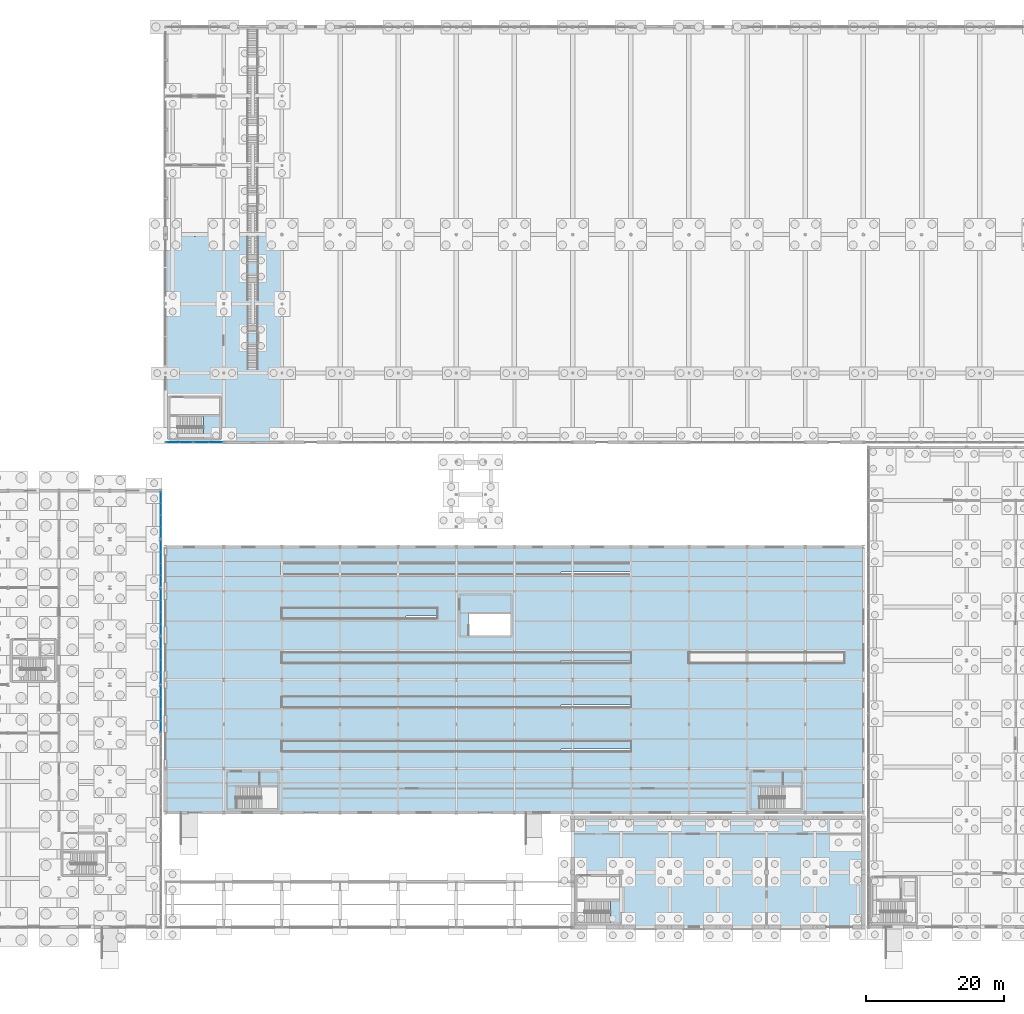
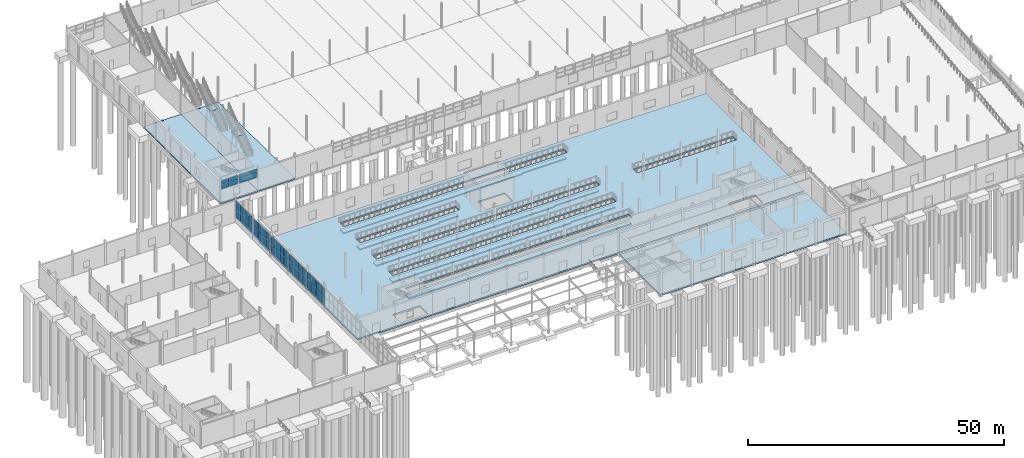
# One storey, part 105 of 139: 48 plates, 13 slabs, 11 elements without a shape of their own.
"""IFC4 building model written with IfcOpenShell, lengths in metres."""

from ifc_helpers import new_model, si_unit, direction, frame, origin, origin_2d, place, context, subcontext, project, spatial, polyline, rectangle, outline, extrude, material, layer, layer_set, type_object, element, aggregate, save


model = new_model("IFC4")

# Units and contexts
model_context = context("Model", 3, precision=1e-05, world=origin(), true_north=direction((0.0, 1.0)))
body_context = subcontext(model_context, "Body", "Model", "MODEL_VIEW")
ifc_project = project(units=[si_unit("LENGTHUNIT", "METRE"), si_unit("AREAUNIT", "SQUARE_METRE"), si_unit("VOLUMEUNIT", "CUBIC_METRE"), si_unit("PLANEANGLEUNIT", "RADIAN"), si_unit("MASSUNIT", "GRAM", prefix="KILO")], contexts=[model_context])

# Site, building, storey
site_placement = place(None, origin())
site = spatial("IfcSite", under=ifc_project, at=site_placement, CompositionType="ELEMENT")
building_placement = place(site_placement, origin())
building = spatial("IfcBuilding", under=site, at=building_placement, Name="Kazenagashi Tramway Depot", CompositionType="ELEMENT")
storey_placement = place(building_placement, origin())
storey = spatial("IfcBuildingStorey", under=building, at=storey_placement, Name="L01", CompositionType="ELEMENT", Elevation=0.0)

# Curtain wall, plates
ifc_material_1 = material(Name="Anodised Aluminium and Low-E Glazing", Category="aluminium")
curtain_wall_type_1 = type_object("IfcCurtainWallType", Name="CW-09", PredefinedType="USERDEFINED", material=ifc_material_1)
curtain_wall_1_placement = place(storey_placement, origin())
curtain_wall_1 = element("IfcCurtainWall", 1, at=curtain_wall_1_placement, inside=storey, type_object=curtain_wall_type_1, Name="Industrial Glazed Screen CW-09 CW-0017", ObjectType="GLAZED SCREEN", PredefinedType="USERDEFINED")
ifc_material_2 = material(Name="Tempered Laminated Low-E Glass", Category="glass")
ifc_layer_1 = layer(ifc_material_2, 0.016)
ifc_layer_set_1 = layer_set([ifc_layer_1], Name="Tempered Laminated Low-E Glass")
plate_type_1 = type_object("IfcPlateType", Name="GL-01", PredefinedType="CURTAIN_PANEL", material=ifc_layer_set_1)
plate_1_placement = place(storey_placement, frame((45.8875, 70.0, 3.26), z_axis=(0.0, 0.0, 1.0), x_axis=(1.0, 0.0, 0.0)))
plate_1 = element("IfcPlate", 2, at=plate_1_placement, type_object=plate_type_1, Name="CW-09 panel 1.1", PredefinedType="CURTAIN_PANEL", context=body_context, shape_type="SweptSolid", body=[
    extrude(rectangle(XDim=1.775, YDim=0.016, at=origin_2d()), origin(), (0.0, 0.0, 1.0), 0.974),
])
plate_2_placement = place(storey_placement, frame((45.8875, 70.0, 4.294), z_axis=(0.0, 0.0, 1.0), x_axis=(1.0, 0.0, 0.0)))
plate_2 = element("IfcPlate", 3, at=plate_2_placement, type_object=plate_type_1, Name="CW-09 panel 1.2", PredefinedType="CURTAIN_PANEL", context=body_context, shape_type="SweptSolid", body=[
    extrude(rectangle(XDim=1.775, YDim=0.016, at=origin_2d()), origin(), (0.0, 0.0, 1.0), 0.893),
])
plate_3_placement = place(storey_placement, frame((47.7225, 70.0, 3.26), z_axis=(0.0, 0.0, 1.0), x_axis=(1.0, 0.0, 0.0)))
plate_3 = element("IfcPlate", 4, at=plate_3_placement, type_object=plate_type_1, Name="CW-09 panel 2.1", PredefinedType="CURTAIN_PANEL", context=body_context, shape_type="SweptSolid", body=[
    extrude(rectangle(XDim=1.775, YDim=0.016, at=origin_2d()), origin(), (0.0, 0.0, 1.0), 0.974),
])
plate_4_placement = place(storey_placement, frame((47.7225, 70.0, 4.294), z_axis=(0.0, 0.0, 1.0), x_axis=(1.0, 0.0, 0.0)))
plate_4 = element("IfcPlate", 5, at=plate_4_placement, type_object=plate_type_1, Name="CW-09 panel 2.2", PredefinedType="CURTAIN_PANEL", context=body_context, shape_type="SweptSolid", body=[
    extrude(rectangle(XDim=1.775, YDim=0.016, at=origin_2d()), origin(), (0.0, 0.0, 1.0), 0.893),
])
aggregate(curtain_wall_1, [plate_1, plate_2, plate_3, plate_4])

curtain_wall_type_2 = type_object("IfcCurtainWallType", Name="CW-33", PredefinedType="USERDEFINED", material=ifc_material_1)
curtain_wall_2_placement = place(storey_placement, origin())
curtain_wall_2 = element("IfcCurtainWall", 6, at=curtain_wall_2_placement, inside=storey, type_object=curtain_wall_type_2, Name="Industrial Glazed Screen CW-33 CW-0193", ObjectType="GLAZED SCREEN", PredefinedType="USERDEFINED")
plate_5_placement = place(storey_placement, frame((44.1, 49.995, 1.26), z_axis=(0.0, 0.0, 1.0), x_axis=(0.0, 1.0, 0.0)))
plate_5 = element("IfcPlate", 7, at=plate_5_placement, type_object=plate_type_1, Name="CW-33 panel 1.1", PredefinedType="CURTAIN_PANEL", context=body_context, shape_type="SweptSolid", body=[
    extrude(rectangle(XDim=1.59, YDim=0.016, at=origin_2d()), origin(), (0.0, 0.0, 1.0), 2.022),
])
plate_6_placement = place(storey_placement, frame((44.1, 49.995, 3.342), z_axis=(0.0, 0.0, 1.0), x_axis=(0.0, 1.0, 0.0)))
plate_6 = element("IfcPlate", 8, at=plate_6_placement, type_object=plate_type_1, Name="CW-33 panel 1.2", PredefinedType="CURTAIN_PANEL", context=body_context, shape_type="SweptSolid", body=[
    extrude(rectangle(XDim=1.59, YDim=0.016, at=origin_2d()), origin(), (0.0, 0.0, 1.0), 1.86),
])
plate_7_placement = place(storey_placement, frame((44.1, 51.66, 1.26), z_axis=(0.0, 0.0, 1.0), x_axis=(0.0, 1.0, 0.0)))
plate_7 = element("IfcPlate", 9, at=plate_7_placement, type_object=plate_type_1, Name="CW-33 panel 2.1", PredefinedType="CURTAIN_PANEL", context=body_context, shape_type="SweptSolid", body=[
    extrude(rectangle(XDim=1.62, YDim=0.016, at=origin_2d()), origin(), (0.0, 0.0, 1.0), 2.022),
])
plate_8_placement = place(storey_placement, frame((44.1, 51.66, 3.342), z_axis=(0.0, 0.0, 1.0), x_axis=(0.0, 1.0, 0.0)))
plate_8 = element("IfcPlate", 10, at=plate_8_placement, type_object=plate_type_1, Name="CW-33 panel 2.2", PredefinedType="CURTAIN_PANEL", context=body_context, shape_type="SweptSolid", body=[
    extrude(rectangle(XDim=1.62, YDim=0.016, at=origin_2d()), origin(), (0.0, 0.0, 1.0), 1.86),
])
plate_9_placement = place(storey_placement, frame((44.1, 53.34, 1.26), z_axis=(0.0, 0.0, 1.0), x_axis=(0.0, 1.0, 0.0)))
plate_9 = element("IfcPlate", 11, at=plate_9_placement, type_object=plate_type_1, Name="CW-33 panel 3.1", PredefinedType="CURTAIN_PANEL", context=body_context, shape_type="SweptSolid", body=[
    extrude(rectangle(XDim=1.62, YDim=0.016, at=origin_2d()), origin(), (0.0, 0.0, 1.0), 2.022),
])
plate_10_placement = place(storey_placement, frame((44.1, 53.34, 3.342), z_axis=(0.0, 0.0, 1.0), x_axis=(0.0, 1.0, 0.0)))
plate_10 = element("IfcPlate", 12, at=plate_10_placement, type_object=plate_type_1, Name="CW-33 panel 3.2", PredefinedType="CURTAIN_PANEL", context=body_context, shape_type="SweptSolid", body=[
    extrude(rectangle(XDim=1.62, YDim=0.016, at=origin_2d()), origin(), (0.0, 0.0, 1.0), 1.86),
])
plate_11_placement = place(storey_placement, frame((44.1, 55.005, 1.26), z_axis=(0.0, 0.0, 1.0), x_axis=(0.0, 1.0, 0.0)))
plate_11 = element("IfcPlate", 13, at=plate_11_placement, type_object=plate_type_1, Name="CW-33 panel 4.1", PredefinedType="CURTAIN_PANEL", context=body_context, shape_type="SweptSolid", body=[
    extrude(rectangle(XDim=1.59, YDim=0.016, at=origin_2d()), origin(), (0.0, 0.0, 1.0), 2.022),
])
plate_12_placement = place(storey_placement, frame((44.1, 55.005, 3.342), z_axis=(0.0, 0.0, 1.0), x_axis=(0.0, 1.0, 0.0)))
plate_12 = element("IfcPlate", 14, at=plate_12_placement, type_object=plate_type_1, Name="CW-33 panel 4.2", PredefinedType="CURTAIN_PANEL", context=body_context, shape_type="SweptSolid", body=[
    extrude(rectangle(XDim=1.59, YDim=0.016, at=origin_2d()), origin(), (0.0, 0.0, 1.0), 1.86),
])
aggregate(curtain_wall_2, [plate_5, plate_6, plate_7, plate_8, plate_9, plate_10, plate_11, plate_12])

curtain_wall_type_3 = type_object("IfcCurtainWallType", Name="CW-10", PredefinedType="USERDEFINED", material=ifc_material_1)
curtain_wall_3_placement = place(storey_placement, origin())
curtain_wall_3 = element("IfcCurtainWall", 15, at=curtain_wall_3_placement, inside=storey, type_object=curtain_wall_type_3, Name="Industrial Glazed Screen CW-10 CW-0018", ObjectType="GLAZED SCREEN", PredefinedType="USERDEFINED")
ifc_layer_2 = layer(ifc_material_2, 0.018)
ifc_layer_set_2 = layer_set([ifc_layer_2], Name="Tempered Laminated Low-E Glass")
plate_type_2 = type_object("IfcPlateType", Name="GL-02", PredefinedType="CURTAIN_PANEL", material=ifc_layer_set_2)
plate_13_placement = place(storey_placement, frame((50.0075, 70.0, 3.26), z_axis=(0.0, 0.0, 1.0), x_axis=(1.0, 0.0, 0.0)))
plate_13 = element("IfcPlate", 16, at=plate_13_placement, type_object=plate_type_2, Name="CW-10 panel 1.1", PredefinedType="CURTAIN_PANEL", context=body_context, shape_type="SweptSolid", body=[
    extrude(rectangle(XDim=1.955, YDim=0.018, at=origin_2d()), origin(), (0.0, 0.0, 1.0), 0.974),
])
plate_14_placement = place(storey_placement, frame((50.0075, 70.0, 4.294), z_axis=(0.0, 0.0, 1.0), x_axis=(1.0, 0.0, 0.0)))
plate_14 = element("IfcPlate", 17, at=plate_14_placement, type_object=plate_type_2, Name="CW-10 panel 1.2", PredefinedType="CURTAIN_PANEL", context=body_context, shape_type="SweptSolid", body=[
    extrude(rectangle(XDim=1.955, YDim=0.018, at=origin_2d()), origin(), (0.0, 0.0, 1.0), 0.893),
])
plate_15_placement = place(storey_placement, frame((52.0225, 70.0, 3.26), z_axis=(0.0, 0.0, 1.0), x_axis=(1.0, 0.0, 0.0)))
plate_15 = element("IfcPlate", 18, at=plate_15_placement, type_object=plate_type_2, Name="CW-10 panel 2.1", PredefinedType="CURTAIN_PANEL", context=body_context, shape_type="SweptSolid", body=[
    extrude(rectangle(XDim=1.955, YDim=0.018, at=origin_2d()), origin(), (0.0, 0.0, 1.0), 0.974),
])
plate_16_placement = place(storey_placement, frame((52.0225, 70.0, 4.294), z_axis=(0.0, 0.0, 1.0), x_axis=(1.0, 0.0, 0.0)))
plate_16 = element("IfcPlate", 19, at=plate_16_placement, type_object=plate_type_2, Name="CW-10 panel 2.2", PredefinedType="CURTAIN_PANEL", context=body_context, shape_type="SweptSolid", body=[
    extrude(rectangle(XDim=1.955, YDim=0.018, at=origin_2d()), origin(), (0.0, 0.0, 1.0), 0.893),
])
aggregate(curtain_wall_3, [plate_13, plate_14, plate_15, plate_16])

curtain_wall_4_placement = place(storey_placement, origin())
curtain_wall_4 = element("IfcCurtainWall", 20, at=curtain_wall_4_placement, inside=storey, type_object=curtain_wall_type_2, Name="Industrial Glazed Screen CW-33 CW-0195", ObjectType="GLAZED SCREEN", PredefinedType="USERDEFINED")
ifc_layer_3 = layer(ifc_material_2, 0.02)
ifc_layer_set_3 = layer_set([ifc_layer_3], Name="Tempered Laminated Low-E Glass")
plate_type_3 = type_object("IfcPlateType", Name="GL-03", PredefinedType="CURTAIN_PANEL", material=ifc_layer_set_3)
plate_17_placement = place(storey_placement, frame((44.1, 56.995, 1.26), z_axis=(0.0, 0.0, 1.0), x_axis=(0.0, 1.0, 0.0)))
plate_17 = element("IfcPlate", 21, at=plate_17_placement, type_object=plate_type_3, Name="CW-33 panel 1.1", PredefinedType="CURTAIN_PANEL", context=body_context, shape_type="SweptSolid", body=[
    extrude(rectangle(XDim=1.59, YDim=0.02, at=origin_2d()), origin(), (0.0, 0.0, 1.0), 2.022),
])
plate_18_placement = place(storey_placement, frame((44.1, 56.995, 3.342), z_axis=(0.0, 0.0, 1.0), x_axis=(0.0, 1.0, 0.0)))
plate_18 = element("IfcPlate", 22, at=plate_18_placement, type_object=plate_type_3, Name="CW-33 panel 1.2", PredefinedType="CURTAIN_PANEL", context=body_context, shape_type="SweptSolid", body=[
    extrude(rectangle(XDim=1.59, YDim=0.02, at=origin_2d()), origin(), (0.0, 0.0, 1.0), 1.86),
])
plate_19_placement = place(storey_placement, frame((44.1, 58.66, 1.26), z_axis=(0.0, 0.0, 1.0), x_axis=(0.0, 1.0, 0.0)))
plate_19 = element("IfcPlate", 23, at=plate_19_placement, type_object=plate_type_3, Name="CW-33 panel 2.1", PredefinedType="CURTAIN_PANEL", context=body_context, shape_type="SweptSolid", body=[
    extrude(rectangle(XDim=1.62, YDim=0.02, at=origin_2d()), origin(), (0.0, 0.0, 1.0), 2.022),
])
plate_20_placement = place(storey_placement, frame((44.1, 58.66, 3.342), z_axis=(0.0, 0.0, 1.0), x_axis=(0.0, 1.0, 0.0)))
plate_20 = element("IfcPlate", 24, at=plate_20_placement, type_object=plate_type_3, Name="CW-33 panel 2.2", PredefinedType="CURTAIN_PANEL", context=body_context, shape_type="SweptSolid", body=[
    extrude(rectangle(XDim=1.62, YDim=0.02, at=origin_2d()), origin(), (0.0, 0.0, 1.0), 1.86),
])
plate_21_placement = place(storey_placement, frame((44.1, 60.34, 1.26), z_axis=(0.0, 0.0, 1.0), x_axis=(0.0, 1.0, 0.0)))
plate_21 = element("IfcPlate", 25, at=plate_21_placement, type_object=plate_type_3, Name="CW-33 panel 3.1", PredefinedType="CURTAIN_PANEL", context=body_context, shape_type="SweptSolid", body=[
    extrude(rectangle(XDim=1.62, YDim=0.02, at=origin_2d()), origin(), (0.0, 0.0, 1.0), 2.022),
])
plate_22_placement = place(storey_placement, frame((44.1, 60.34, 3.342), z_axis=(0.0, 0.0, 1.0), x_axis=(0.0, 1.0, 0.0)))
plate_22 = element("IfcPlate", 26, at=plate_22_placement, type_object=plate_type_3, Name="CW-33 panel 3.2", PredefinedType="CURTAIN_PANEL", context=body_context, shape_type="SweptSolid", body=[
    extrude(rectangle(XDim=1.62, YDim=0.02, at=origin_2d()), origin(), (0.0, 0.0, 1.0), 1.86),
])
plate_23_placement = place(storey_placement, frame((44.1, 62.005, 1.26), z_axis=(0.0, 0.0, 1.0), x_axis=(0.0, 1.0, 0.0)))
plate_23 = element("IfcPlate", 27, at=plate_23_placement, type_object=plate_type_3, Name="CW-33 panel 4.1", PredefinedType="CURTAIN_PANEL", context=body_context, shape_type="SweptSolid", body=[
    extrude(rectangle(XDim=1.59, YDim=0.02, at=origin_2d()), origin(), (0.0, 0.0, 1.0), 2.022),
])
plate_24_placement = place(storey_placement, frame((44.1, 62.005, 3.342), z_axis=(0.0, 0.0, 1.0), x_axis=(0.0, 1.0, 0.0)))
plate_24 = element("IfcPlate", 28, at=plate_24_placement, type_object=plate_type_3, Name="CW-33 panel 4.2", PredefinedType="CURTAIN_PANEL", context=body_context, shape_type="SweptSolid", body=[
    extrude(rectangle(XDim=1.59, YDim=0.02, at=origin_2d()), origin(), (0.0, 0.0, 1.0), 1.86),
])
aggregate(curtain_wall_4, [plate_17, plate_18, plate_19, plate_20, plate_21, plate_22, plate_23, plate_24])

curtain_wall_5_placement = place(storey_placement, origin())
curtain_wall_5 = element("IfcCurtainWall", 29, at=curtain_wall_5_placement, inside=storey, type_object=curtain_wall_type_2, Name="Industrial Glazed Screen CW-33 CW-0187", ObjectType="GLAZED SCREEN", PredefinedType="USERDEFINED")
ifc_layer_4 = layer(ifc_material_2, 0.036)
ifc_layer_set_4 = layer_set([ifc_layer_4], Name="Tempered Laminated Low-E Glass")
plate_type_4 = type_object("IfcPlateType", Name="GL-11", PredefinedType="CURTAIN_PANEL", material=ifc_layer_set_4)
plate_25_placement = place(storey_placement, frame((44.1, 28.995, 1.26), z_axis=(0.0, 0.0, 1.0), x_axis=(0.0, 1.0, 0.0)))
plate_25 = element("IfcPlate", 30, at=plate_25_placement, type_object=plate_type_4, Name="CW-33 panel 1.1", PredefinedType="CURTAIN_PANEL", context=body_context, shape_type="SweptSolid", body=[
    extrude(rectangle(XDim=1.59, YDim=0.036, at=origin_2d()), origin(), (0.0, 0.0, 1.0), 2.022),
])
plate_26_placement = place(storey_placement, frame((44.1, 28.995, 3.342), z_axis=(0.0, 0.0, 1.0), x_axis=(0.0, 1.0, 0.0)))
plate_26 = element("IfcPlate", 31, at=plate_26_placement, type_object=plate_type_4, Name="CW-33 panel 1.2", PredefinedType="CURTAIN_PANEL", context=body_context, shape_type="SweptSolid", body=[
    extrude(rectangle(XDim=1.59, YDim=0.036, at=origin_2d()), origin(), (0.0, 0.0, 1.0), 1.86),
])
plate_27_placement = place(storey_placement, frame((44.1, 30.66, 1.26), z_axis=(0.0, 0.0, 1.0), x_axis=(0.0, 1.0, 0.0)))
plate_27 = element("IfcPlate", 32, at=plate_27_placement, type_object=plate_type_4, Name="CW-33 panel 2.1", PredefinedType="CURTAIN_PANEL", context=body_context, shape_type="SweptSolid", body=[
    extrude(rectangle(XDim=1.62, YDim=0.036, at=origin_2d()), origin(), (0.0, 0.0, 1.0), 2.022),
])
plate_28_placement = place(storey_placement, frame((44.1, 30.66, 3.342), z_axis=(0.0, 0.0, 1.0), x_axis=(0.0, 1.0, 0.0)))
plate_28 = element("IfcPlate", 33, at=plate_28_placement, type_object=plate_type_4, Name="CW-33 panel 2.2", PredefinedType="CURTAIN_PANEL", context=body_context, shape_type="SweptSolid", body=[
    extrude(rectangle(XDim=1.62, YDim=0.036, at=origin_2d()), origin(), (0.0, 0.0, 1.0), 1.86),
])
plate_29_placement = place(storey_placement, frame((44.1, 32.34, 1.26), z_axis=(0.0, 0.0, 1.0), x_axis=(0.0, 1.0, 0.0)))
plate_29 = element("IfcPlate", 34, at=plate_29_placement, type_object=plate_type_4, Name="CW-33 panel 3.1", PredefinedType="CURTAIN_PANEL", context=body_context, shape_type="SweptSolid", body=[
    extrude(rectangle(XDim=1.62, YDim=0.036, at=origin_2d()), origin(), (0.0, 0.0, 1.0), 2.022),
])
plate_30_placement = place(storey_placement, frame((44.1, 32.34, 3.342), z_axis=(0.0, 0.0, 1.0), x_axis=(0.0, 1.0, 0.0)))
plate_30 = element("IfcPlate", 35, at=plate_30_placement, type_object=plate_type_4, Name="CW-33 panel 3.2", PredefinedType="CURTAIN_PANEL", context=body_context, shape_type="SweptSolid", body=[
    extrude(rectangle(XDim=1.62, YDim=0.036, at=origin_2d()), origin(), (0.0, 0.0, 1.0), 1.86),
])
plate_31_placement = place(storey_placement, frame((44.1, 34.005, 1.26), z_axis=(0.0, 0.0, 1.0), x_axis=(0.0, 1.0, 0.0)))
plate_31 = element("IfcPlate", 36, at=plate_31_placement, type_object=plate_type_4, Name="CW-33 panel 4.1", PredefinedType="CURTAIN_PANEL", context=body_context, shape_type="SweptSolid", body=[
    extrude(rectangle(XDim=1.59, YDim=0.036, at=origin_2d()), origin(), (0.0, 0.0, 1.0), 2.022),
])
plate_32_placement = place(storey_placement, frame((44.1, 34.005, 3.342), z_axis=(0.0, 0.0, 1.0), x_axis=(0.0, 1.0, 0.0)))
plate_32 = element("IfcPlate", 37, at=plate_32_placement, type_object=plate_type_4, Name="CW-33 panel 4.2", PredefinedType="CURTAIN_PANEL", context=body_context, shape_type="SweptSolid", body=[
    extrude(rectangle(XDim=1.59, YDim=0.036, at=origin_2d()), origin(), (0.0, 0.0, 1.0), 1.86),
])
aggregate(curtain_wall_5, [plate_25, plate_26, plate_27, plate_28, plate_29, plate_30, plate_31, plate_32])

curtain_wall_6_placement = place(storey_placement, origin())
curtain_wall_6 = element("IfcCurtainWall", 38, at=curtain_wall_6_placement, inside=storey, type_object=curtain_wall_type_2, Name="Industrial Glazed Screen CW-33 CW-0189", ObjectType="GLAZED SCREEN", PredefinedType="USERDEFINED")
ifc_layer_5 = layer(ifc_material_2, 0.04)
ifc_layer_set_5 = layer_set([ifc_layer_5], Name="Tempered Laminated Low-E Glass")
plate_type_5 = type_object("IfcPlateType", Name="GL-13", PredefinedType="CURTAIN_PANEL", material=ifc_layer_set_5)
plate_33_placement = place(storey_placement, frame((44.1, 35.995, 1.26), z_axis=(0.0, 0.0, 1.0), x_axis=(0.0, 1.0, 0.0)))
plate_33 = element("IfcPlate", 39, at=plate_33_placement, type_object=plate_type_5, Name="CW-33 panel 1.1", PredefinedType="CURTAIN_PANEL", context=body_context, shape_type="SweptSolid", body=[
    extrude(rectangle(XDim=1.59, YDim=0.04, at=origin_2d()), origin(), (0.0, 0.0, 1.0), 2.022),
])
plate_34_placement = place(storey_placement, frame((44.1, 35.995, 3.342), z_axis=(0.0, 0.0, 1.0), x_axis=(0.0, 1.0, 0.0)))
plate_34 = element("IfcPlate", 40, at=plate_34_placement, type_object=plate_type_5, Name="CW-33 panel 1.2", PredefinedType="CURTAIN_PANEL", context=body_context, shape_type="SweptSolid", body=[
    extrude(rectangle(XDim=1.59, YDim=0.04, at=origin_2d()), origin(), (0.0, 0.0, 1.0), 1.86),
])
plate_35_placement = place(storey_placement, frame((44.1, 37.66, 1.26), z_axis=(0.0, 0.0, 1.0), x_axis=(0.0, 1.0, 0.0)))
plate_35 = element("IfcPlate", 41, at=plate_35_placement, type_object=plate_type_5, Name="CW-33 panel 2.1", PredefinedType="CURTAIN_PANEL", context=body_context, shape_type="SweptSolid", body=[
    extrude(rectangle(XDim=1.62, YDim=0.04, at=origin_2d()), origin(), (0.0, 0.0, 1.0), 2.022),
])
plate_36_placement = place(storey_placement, frame((44.1, 37.66, 3.342), z_axis=(0.0, 0.0, 1.0), x_axis=(0.0, 1.0, 0.0)))
plate_36 = element("IfcPlate", 42, at=plate_36_placement, type_object=plate_type_5, Name="CW-33 panel 2.2", PredefinedType="CURTAIN_PANEL", context=body_context, shape_type="SweptSolid", body=[
    extrude(rectangle(XDim=1.62, YDim=0.04, at=origin_2d()), origin(), (0.0, 0.0, 1.0), 1.86),
])
plate_37_placement = place(storey_placement, frame((44.1, 39.34, 1.26), z_axis=(0.0, 0.0, 1.0), x_axis=(0.0, 1.0, 0.0)))
plate_37 = element("IfcPlate", 43, at=plate_37_placement, type_object=plate_type_5, Name="CW-33 panel 3.1", PredefinedType="CURTAIN_PANEL", context=body_context, shape_type="SweptSolid", body=[
    extrude(rectangle(XDim=1.62, YDim=0.04, at=origin_2d()), origin(), (0.0, 0.0, 1.0), 2.022),
])
plate_38_placement = place(storey_placement, frame((44.1, 39.34, 3.342), z_axis=(0.0, 0.0, 1.0), x_axis=(0.0, 1.0, 0.0)))
plate_38 = element("IfcPlate", 44, at=plate_38_placement, type_object=plate_type_5, Name="CW-33 panel 3.2", PredefinedType="CURTAIN_PANEL", context=body_context, shape_type="SweptSolid", body=[
    extrude(rectangle(XDim=1.62, YDim=0.04, at=origin_2d()), origin(), (0.0, 0.0, 1.0), 1.86),
])
plate_39_placement = place(storey_placement, frame((44.1, 41.005, 1.26), z_axis=(0.0, 0.0, 1.0), x_axis=(0.0, 1.0, 0.0)))
plate_39 = element("IfcPlate", 45, at=plate_39_placement, type_object=plate_type_5, Name="CW-33 panel 4.1", PredefinedType="CURTAIN_PANEL", context=body_context, shape_type="SweptSolid", body=[
    extrude(rectangle(XDim=1.59, YDim=0.04, at=origin_2d()), origin(), (0.0, 0.0, 1.0), 2.022),
])
plate_40_placement = place(storey_placement, frame((44.1, 41.005, 3.342), z_axis=(0.0, 0.0, 1.0), x_axis=(0.0, 1.0, 0.0)))
plate_40 = element("IfcPlate", 46, at=plate_40_placement, type_object=plate_type_5, Name="CW-33 panel 4.2", PredefinedType="CURTAIN_PANEL", context=body_context, shape_type="SweptSolid", body=[
    extrude(rectangle(XDim=1.59, YDim=0.04, at=origin_2d()), origin(), (0.0, 0.0, 1.0), 1.86),
])
aggregate(curtain_wall_6, [plate_33, plate_34, plate_35, plate_36, plate_37, plate_38, plate_39, plate_40])

curtain_wall_7_placement = place(storey_placement, origin())
curtain_wall_7 = element("IfcCurtainWall", 47, at=curtain_wall_7_placement, inside=storey, type_object=curtain_wall_type_2, Name="Industrial Glazed Screen CW-33 CW-0191", ObjectType="GLAZED SCREEN", PredefinedType="USERDEFINED")
ifc_layer_6 = layer(ifc_material_2, 0.044)
ifc_layer_set_6 = layer_set([ifc_layer_6], Name="Tempered Laminated Low-E Glass")
plate_type_6 = type_object("IfcPlateType", Name="GL-15", PredefinedType="CURTAIN_PANEL", material=ifc_layer_set_6)
plate_41_placement = place(storey_placement, frame((44.1, 42.995, 1.26), z_axis=(0.0, 0.0, 1.0), x_axis=(0.0, 1.0, 0.0)))
plate_41 = element("IfcPlate", 48, at=plate_41_placement, type_object=plate_type_6, Name="CW-33 panel 1.1", PredefinedType="CURTAIN_PANEL", context=body_context, shape_type="SweptSolid", body=[
    extrude(rectangle(XDim=1.59, YDim=0.044, at=origin_2d()), origin(), (0.0, 0.0, 1.0), 2.022),
])
plate_42_placement = place(storey_placement, frame((44.1, 42.995, 3.342), z_axis=(0.0, 0.0, 1.0), x_axis=(0.0, 1.0, 0.0)))
plate_42 = element("IfcPlate", 49, at=plate_42_placement, type_object=plate_type_6, Name="CW-33 panel 1.2", PredefinedType="CURTAIN_PANEL", context=body_context, shape_type="SweptSolid", body=[
    extrude(rectangle(XDim=1.59, YDim=0.044, at=origin_2d()), origin(), (0.0, 0.0, 1.0), 1.86),
])
plate_43_placement = place(storey_placement, frame((44.1, 44.66, 1.26), z_axis=(0.0, 0.0, 1.0), x_axis=(0.0, 1.0, 0.0)))
plate_43 = element("IfcPlate", 50, at=plate_43_placement, type_object=plate_type_6, Name="CW-33 panel 2.1", PredefinedType="CURTAIN_PANEL", context=body_context, shape_type="SweptSolid", body=[
    extrude(rectangle(XDim=1.62, YDim=0.044, at=origin_2d()), origin(), (0.0, 0.0, 1.0), 2.022),
])
plate_44_placement = place(storey_placement, frame((44.1, 44.66, 3.342), z_axis=(0.0, 0.0, 1.0), x_axis=(0.0, 1.0, 0.0)))
plate_44 = element("IfcPlate", 51, at=plate_44_placement, type_object=plate_type_6, Name="CW-33 panel 2.2", PredefinedType="CURTAIN_PANEL", context=body_context, shape_type="SweptSolid", body=[
    extrude(rectangle(XDim=1.62, YDim=0.044, at=origin_2d()), origin(), (0.0, 0.0, 1.0), 1.86),
])
plate_45_placement = place(storey_placement, frame((44.1, 46.34, 1.26), z_axis=(0.0, 0.0, 1.0), x_axis=(0.0, 1.0, 0.0)))
plate_45 = element("IfcPlate", 52, at=plate_45_placement, type_object=plate_type_6, Name="CW-33 panel 3.1", PredefinedType="CURTAIN_PANEL", context=body_context, shape_type="SweptSolid", body=[
    extrude(rectangle(XDim=1.62, YDim=0.044, at=origin_2d()), origin(), (0.0, 0.0, 1.0), 2.022),
])
plate_46_placement = place(storey_placement, frame((44.1, 46.34, 3.342), z_axis=(0.0, 0.0, 1.0), x_axis=(0.0, 1.0, 0.0)))
plate_46 = element("IfcPlate", 53, at=plate_46_placement, type_object=plate_type_6, Name="CW-33 panel 3.2", PredefinedType="CURTAIN_PANEL", context=body_context, shape_type="SweptSolid", body=[
    extrude(rectangle(XDim=1.62, YDim=0.044, at=origin_2d()), origin(), (0.0, 0.0, 1.0), 1.86),
])
plate_47_placement = place(storey_placement, frame((44.1, 48.005, 1.26), z_axis=(0.0, 0.0, 1.0), x_axis=(0.0, 1.0, 0.0)))
plate_47 = element("IfcPlate", 54, at=plate_47_placement, type_object=plate_type_6, Name="CW-33 panel 4.1", PredefinedType="CURTAIN_PANEL", context=body_context, shape_type="SweptSolid", body=[
    extrude(rectangle(XDim=1.59, YDim=0.044, at=origin_2d()), origin(), (0.0, 0.0, 1.0), 2.022),
])
plate_48_placement = place(storey_placement, frame((44.1, 48.005, 3.342), z_axis=(0.0, 0.0, 1.0), x_axis=(0.0, 1.0, 0.0)))
plate_48 = element("IfcPlate", 55, at=plate_48_placement, type_object=plate_type_6, Name="CW-33 panel 4.2", PredefinedType="CURTAIN_PANEL", context=body_context, shape_type="SweptSolid", body=[
    extrude(rectangle(XDim=1.59, YDim=0.044, at=origin_2d()), origin(), (0.0, 0.0, 1.0), 1.86),
])
aggregate(curtain_wall_7, [plate_41, plate_42, plate_43, plate_44, plate_45, plate_46, plate_47, plate_48])

# Slabs
ifc_material_3 = material(Name="Concrete Fc36", Category="concrete")
ifc_layer_7 = layer(ifc_material_3, 0.35)
ifc_layer_set_7 = layer_set([ifc_layer_7], Name="Concrete Fc36")
slab_type_1 = type_object("IfcSlabType", Name="SL-01", PredefinedType="BASESLAB", material=ifc_layer_set_7)
slab_1_placement = place(storey_placement, frame((0.0, 0.0, -0.35)))
element("IfcSlab", 56, at=slab_1_placement, inside=storey, type_object=slab_type_1, Name="Stabling Track Slab Bay 1A SLAB-009", PredefinedType="BASESLAB", context=body_context, shape_type="SweptSolid", body=[
    extrude(outline(polyline([(44.8, 70.0), (53.2, 70.0), (53.2, 100.0), (44.8, 100.0), (44.8, 70.0)]), holes=[polyline([(48.89, 99.74), (49.11, 99.74), (49.11, 99.96), (48.89, 99.96), (48.89, 99.74)])]), origin(), (0.0, 0.0, 1.0), 0.35),
])
slab_2_placement = place(storey_placement, frame((0.0, 0.0, -0.35)))
element("IfcSlab", 57, at=slab_2_placement, inside=storey, type_object=slab_type_1, Name="Overhaul Track and Pit Slab SLAB-045", PredefinedType="BASESLAB", context=body_context, shape_type="SweptSolid", body=[
    extrude(outline(polyline([(44.8, 54.9), (145.6, 54.9), (145.6, 16.5), (44.8, 16.5), (44.8, 54.9)]), holes=[polyline([(112.0, 25.4), (112.0, 26.8), (61.6, 26.8), (61.6, 25.4), (112.0, 25.4)]), polyline([(112.0, 31.8), (112.0, 33.2), (61.6, 33.2), (61.6, 31.8), (112.0, 31.8)]), polyline([(112.0, 38.2), (112.0, 39.6), (61.6, 39.6), (61.6, 38.2), (112.0, 38.2)]), polyline([(84.0, 44.6), (84.0, 46.0), (61.6, 46.0), (61.6, 44.6), (84.0, 44.6)]), polyline([(112.0, 51.0), (112.0, 52.4), (61.6, 52.4), (61.6, 51.0), (112.0, 51.0)]), polyline([(142.8, 38.2), (142.8, 39.6), (120.4, 39.6), (120.4, 38.2), (142.8, 38.2)]), polyline([(60.99, 17.11), (60.99, 20.2), (54.96, 20.2), (54.96, 17.11), (60.99, 17.11)]), polyline([(130.56, 17.11), (136.59, 17.11), (136.59, 20.2), (130.56, 20.2), (130.56, 17.11)]), polyline([(88.56, 42.11), (94.59, 42.11), (94.59, 45.2), (88.56, 45.2), (88.56, 42.11)])]), origin(), (0.0, 0.0, 1.0), 0.35),
])
ifc_layer_8 = layer(ifc_material_3, 0.325)
ifc_layer_set_8 = layer_set([ifc_layer_8], Name="Concrete Fc36")
slab_type_2 = type_object("IfcSlabType", Name="SL-02", PredefinedType="BASESLAB", material=ifc_layer_set_8)
slab_3_placement = place(storey_placement, frame((0.0, 0.0, -0.325)))
element("IfcSlab", 58, at=slab_3_placement, inside=storey, type_object=slab_type_2, Name="Stabling Track Slab Bay 2A SLAB-011", PredefinedType="BASESLAB", context=body_context, shape_type="SweptSolid", body=[
    extrude(outline(polyline([(53.2, 70.0), (61.6, 70.0), (61.6, 100.0), (53.2, 100.0), (53.2, 70.0)]), holes=[polyline([(57.29, 99.74), (57.51, 99.74), (57.51, 99.96), (57.29, 99.96), (57.29, 99.74)])]), origin(), (0.0, 0.0, 1.0), 0.325),
])
slab_4_placement = place(storey_placement, frame((0.0, 0.0, -0.325)))
element("IfcSlab", 59, at=slab_4_placement, inside=storey, type_object=slab_type_2, Name="Traction Substation Ground Slab SLAB-055", PredefinedType="BASESLAB", context=body_context, shape_type="SweptSolid", body=[
    extrude(outline(polyline([(103.6, 0.0), (145.6, 0.0), (145.6, 15.8), (103.6, 15.8), (103.6, 0.0)])), origin(), (0.0, 0.0, 1.0), 0.325),
])
ifc_layer_9 = layer(ifc_material_3, 0.3)
ifc_layer_set_9 = layer_set([ifc_layer_9], Name="Concrete Fc36")
slab_type_3 = type_object("IfcSlabType", Name="SL-03", PredefinedType="BASESLAB", material=ifc_layer_set_9)
slab_5_placement = place(storey_placement, frame((0.0, 0.0, -1.85)))
element("IfcSlab", 60, at=slab_5_placement, inside=storey, type_object=slab_type_3, Name="Tram Periodic Inspection Pit 1 Invert Slab SLAB-046", PredefinedType="BASESLAB", context=body_context, shape_type="SweptSolid", body=[
    extrude(outline(polyline([(61.6, 25.4), (101.92, 25.4), (101.92, 25.68), (112.0, 25.68), (112.0, 26.8), (61.6, 26.8), (61.6, 25.4)])), origin(), (0.0, 0.0, 1.0), 0.3),
])
slab_6_placement = place(storey_placement, frame((0.0, 0.0, -1.85)))
element("IfcSlab", 61, at=slab_6_placement, inside=storey, type_object=slab_type_3, Name="Tram Periodic Inspection Pit 2 Invert Slab SLAB-047", PredefinedType="BASESLAB", context=body_context, shape_type="SweptSolid", body=[
    extrude(outline(polyline([(61.6, 31.8), (101.92, 31.8), (101.92, 32.08), (112.0, 32.08), (112.0, 33.2), (61.6, 33.2), (61.6, 31.8)])), origin(), (0.0, 0.0, 1.0), 0.3),
])
slab_7_placement = place(storey_placement, frame((0.0, 0.0, -1.85)))
element("IfcSlab", 62, at=slab_7_placement, inside=storey, type_object=slab_type_3, Name="Tram Periodic Inspection Pit 3 Invert Slab SLAB-048", PredefinedType="BASESLAB", context=body_context, shape_type="SweptSolid", body=[
    extrude(outline(polyline([(61.6, 38.2), (101.92, 38.2), (101.92, 38.48), (112.0, 38.48), (112.0, 39.6), (61.6, 39.6), (61.6, 38.2)])), origin(), (0.0, 0.0, 1.0), 0.3),
])
slab_8_placement = place(storey_placement, frame((0.0, 0.0, -1.85)))
element("IfcSlab", 63, at=slab_8_placement, inside=storey, type_object=slab_type_3, Name="Tram Periodic Inspection Pit 4 Invert Slab SLAB-049", PredefinedType="BASESLAB", context=body_context, shape_type="SweptSolid", body=[
    extrude(outline(polyline([(61.6, 44.6), (79.52, 44.6), (79.52, 44.88), (84.0, 44.88), (84.0, 46.0), (61.6, 46.0), (61.6, 44.6)])), origin(), (0.0, 0.0, 1.0), 0.3),
])
slab_9_placement = place(storey_placement, frame((0.0, 0.0, -1.85)))
element("IfcSlab", 64, at=slab_9_placement, inside=storey, type_object=slab_type_3, Name="Tram Periodic Inspection Pit 5 Invert Slab SLAB-050", PredefinedType="BASESLAB", context=body_context, shape_type="SweptSolid", body=[
    extrude(outline(polyline([(61.6, 51.0), (101.92, 51.0), (101.92, 51.28), (112.0, 51.28), (112.0, 52.4), (61.6, 52.4), (61.6, 51.0)])), origin(), (0.0, 0.0, 1.0), 0.3),
])

# Stair, slab
stair_type_1 = type_object("IfcStairType", Name="ST-T5", PredefinedType="USERDEFINED", material=ifc_material_3)
stair_1_placement = place(storey_placement, origin())
stair_1 = element("IfcStair", 65, at=stair_1_placement, inside=storey, type_object=stair_type_1, Name="Enclosed Escape Stair ST-27", ObjectType="TWO_RETURN_STAIR", PredefinedType="USERDEFINED")
ifc_layer_10 = layer(ifc_material_3, 0.195)
ifc_layer_set_10 = layer_set([ifc_layer_10], Name="Concrete Fc36")
slab_type_4 = type_object("IfcSlabType", Name="SL-LD1", PredefinedType="LANDING", material=ifc_layer_set_10)
slab_10_placement = place(storey_placement, frame((0.0, 0.0, 2.805)))
slab_10 = element("IfcSlab", 66, at=slab_10_placement, type_object=slab_type_4, Name="ST-27 landing 1", PredefinedType="LANDING", context=body_context, shape_type="SweptSolid", body=[
    extrude(outline(polyline([(50.26, 70.41), (52.84, 70.41), (52.84, 73.9), (50.26, 73.9), (50.26, 70.41)])), origin(), (0.0, 0.0, 1.0), 0.195),
])
aggregate(stair_1, [slab_10])

stair_type_2 = type_object("IfcStairType", Name="ST-T2", PredefinedType="USERDEFINED", material=ifc_material_3)
stair_2_placement = place(storey_placement, origin())
stair_2 = element("IfcStair", 67, at=stair_2_placement, inside=storey, type_object=stair_type_2, Name="Enclosed Escape Stair ST-28", ObjectType="TWO_RETURN_STAIR", PredefinedType="USERDEFINED")
slab_11_placement = place(storey_placement, frame((0.0, 0.0, 2.805)))
slab_11 = element("IfcSlab", 68, at=slab_11_placement, type_object=slab_type_4, Name="ST-28 landing 1", PredefinedType="LANDING", context=body_context, shape_type="SweptSolid", body=[
    extrude(outline(polyline([(109.06, 0.41), (110.64, 0.41), (110.64, 3.9), (109.06, 3.9), (109.06, 0.41)])), origin(), (0.0, 0.0, 1.0), 0.195),
])
aggregate(stair_2, [slab_11])

stair_type_3 = type_object("IfcStairType", Name="ST-S1", PredefinedType="STRAIGHT_RUN_STAIR", material=ifc_material_3)
stair_3_placement = place(storey_placement, origin())
stair_3 = element("IfcStair", 69, at=stair_3_placement, inside=storey, type_object=stair_type_3, Name="Straight Run Stair ST-29", PredefinedType="STRAIGHT_RUN_STAIR")
slab_12_placement = place(storey_placement, frame((0.0, 0.0, 2.805)))
slab_12 = element("IfcSlab", 70, at=slab_12_placement, type_object=slab_type_4, Name="ST-29 landing 1", PredefinedType="LANDING", context=body_context, shape_type="SweptSolid", body=[
    extrude(outline(polyline([(56.65, 84.28), (58.15, 84.28), (58.15, 85.93), (56.65, 85.93), (56.65, 84.28)])), origin(), (0.0, 0.0, 1.0), 0.195),
])
aggregate(stair_3, [slab_12])

stair_type_4 = type_object("IfcStairType", Name="ST-S2", PredefinedType="STRAIGHT_RUN_STAIR", material=ifc_material_3)
stair_4_placement = place(storey_placement, origin())
stair_4 = element("IfcStair", 71, at=stair_4_placement, inside=storey, type_object=stair_type_4, Name="Straight Run Stair ST-30", PredefinedType="STRAIGHT_RUN_STAIR")
slab_13_placement = place(storey_placement, frame((0.0, 0.0, 2.805)))
slab_13 = element("IfcSlab", 72, at=slab_13_placement, type_object=slab_type_4, Name="ST-30 landing 1", PredefinedType="LANDING", context=body_context, shape_type="SweptSolid", body=[
    extrude(outline(polyline([(56.625, 94.28), (58.175, 94.28), (58.175, 95.93), (56.625, 95.93), (56.625, 94.28)])), origin(), (0.0, 0.0, 1.0), 0.195),
])
aggregate(stair_4, [slab_13])

save(model, "model.ifc")
